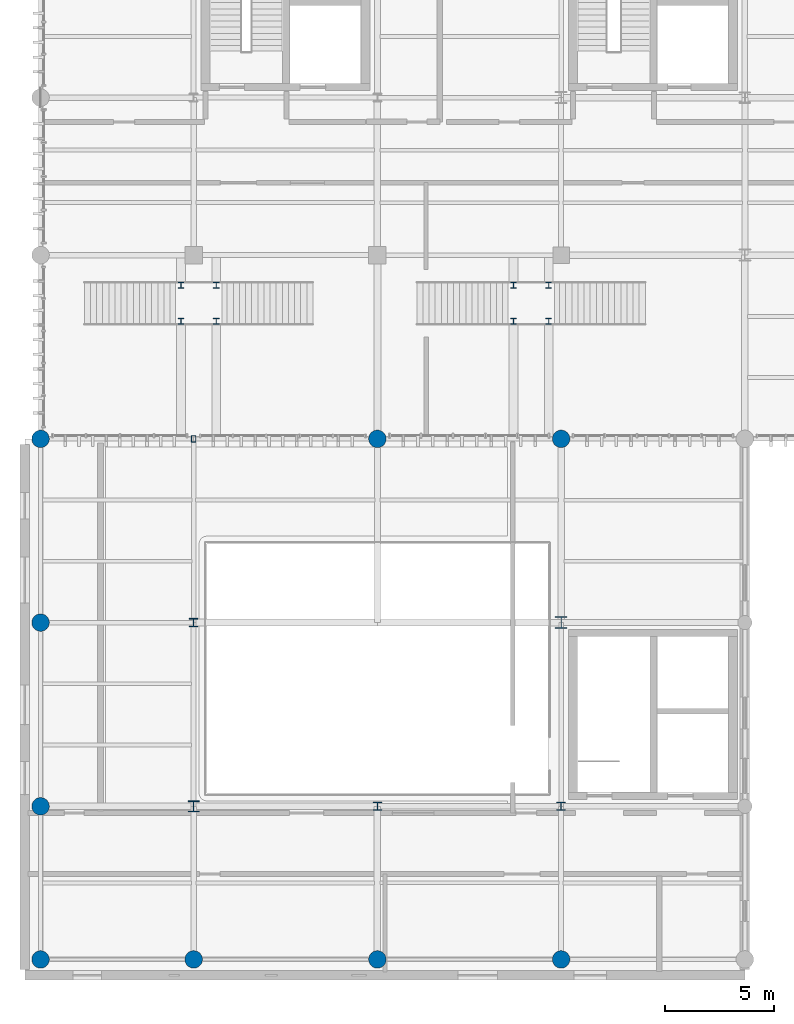
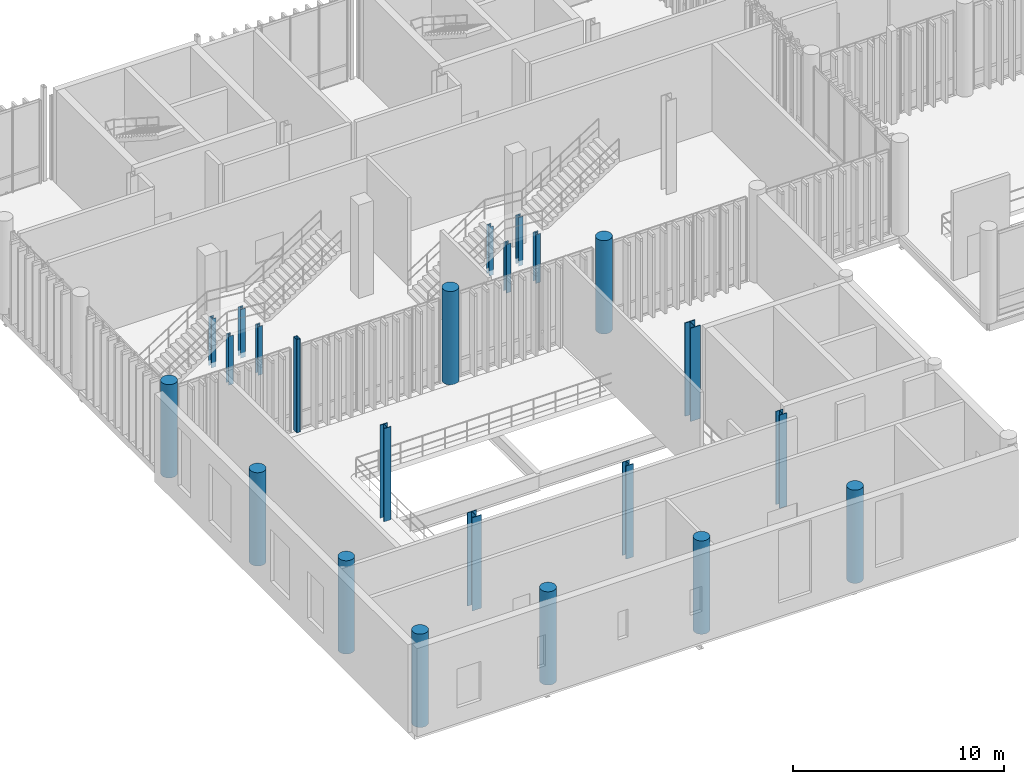
# One storey, part 1 of 128: 23 columns.
"""IFC4 building model written with IfcOpenShell, lengths in metres."""

from ifc_helpers import new_model, si_unit, direction, frame, origin_with_axes, origin_2d_with_axis, place, context, subcontext, project, spatial, hollow_rectangle, circle, i_section, extrude, material, material_profile, profile_set, type_object, element, save


model = new_model("IFC4")

# Units and contexts
model_context = context("Model", 3, precision=1e-05, world=origin_with_axes(), true_north=direction((0.0, 1.0)))
body_context = subcontext(model_context, "Body", "Model", "MODEL_VIEW")
ifc_project = project(units=[si_unit("LENGTHUNIT", "METRE"), si_unit("AREAUNIT", "SQUARE_METRE"), si_unit("VOLUMEUNIT", "CUBIC_METRE"), si_unit("PLANEANGLEUNIT", "RADIAN"), si_unit("MASSUNIT", "GRAM", prefix="KILO"), si_unit("THERMODYNAMICTEMPERATUREUNIT", "KELVIN")], contexts=[model_context])

# Site, building, storey
site_placement = place(None, origin_with_axes())
site = spatial("IfcSite", under=ifc_project, at=site_placement, CompositionType="ELEMENT")
building_placement = place(site_placement, origin_with_axes())
building = spatial("IfcBuilding", under=site, at=building_placement, Name="Montbau Bow Law Courts", CompositionType="ELEMENT")
storey_placement = place(building_placement, frame((0.0, 0.0, 5.4), z_axis=(0.0, 0.0, 1.0), x_axis=(1.0, 0.0, 0.0)))
storey = spatial("IfcBuildingStorey", under=building, at=storey_placement, Name="L01", CompositionType="ELEMENT", Elevation=5.4)

# Columns
ifc_material_1 = material(Name="Steel CSA G40.21 Grade 350WT (350 MPa)", Category="steel")
ifc_material_profile_1 = material_profile(ifc_material_1, hollow_rectangle(XDim=0.203, YDim=0.305, WallThickness=0.0127, InnerFilletRadius=0.0254, OuterFilletRadius=0.0127, at=origin_2d_with_axis()), Name="HSS305X203X13", Category="Main", Priority=0)
ifc_profile_set_1 = profile_set([ifc_material_profile_1], Name="Steel CSA G40.21 Grade 350WT (350 MPa)")
column_type_1 = type_object("IfcColumnType", Name="C-HSS-03", PredefinedType="COLUMN", material=ifc_profile_set_1)
column_1_placement = place(None, frame((13.8, 30.6, 5.4), z_axis=(0.0, 0.0, 1.0), x_axis=(1.0, 0.0, 0.0)))
element("IfcColumn", 1, at=column_1_placement, inside=storey, type_object=column_type_1, Name="C-L01-S0369:col2_0369", PredefinedType="COLUMN", context=body_context, shape_type="SweptSolid", body=[
    extrude(hollow_rectangle(XDim=0.203, YDim=0.305, WallThickness=0.0127, InnerFilletRadius=0.0254, OuterFilletRadius=0.0127, at=origin_2d_with_axis()), origin_with_axes(), (0.0, 0.0, 1.0), 5.4),
])
ifc_material_2 = material(Name="Concrete CSA A23.1 f'c 40 MPa", Category="concrete")
ifc_material_profile_2 = material_profile(ifc_material_2, circle(Radius=0.4, at=origin_2d_with_axis()), Name="RC800D", Category="Main", Priority=0)
ifc_profile_set_2 = profile_set([ifc_material_profile_2], Name="Concrete CSA A23.1 f'c 40 MPa")
column_type_2 = type_object("IfcColumnType", Name="C-RC-07", PredefinedType="COLUMN", material=ifc_profile_set_2)
for number, where, z_axis, x_axis, name in (
    (2, (6.8, 6.8, 5.4), (0.0, 0.0, 1.0), (1.0, 0.0, 0.0), "C-L01-S0359:col2_0359"),
    (3, (6.8, 13.8, 5.4), (0.0, 0.0, 1.0), (1.0, 0.0, 0.0), "C-L01-S0360:col2_0360"),
    (4, (6.8, 22.2, 5.4), (0.0, 0.0, 1.0), (1.0, 0.0, 0.0), "C-L01-S0361:col2_0361"),
    (5, (6.8, 30.6, 5.4), (0.0, 0.0, 1.0), (1.0, 0.0, 0.0), "C-L01-S0362:col2_0362"),
    (6, (13.8, 6.8, 5.4), (0.0, 0.0, 1.0), (1.0, 0.0, 0.0), "C-L01-S0366:col2_0366"),
    (7, (22.2, 6.8, 5.4), (0.0, 0.0, 1.0), (1.0, 0.0, 0.0), "C-L01-S0373:col2_0373"),
    (8, (22.2, 30.6, 5.4), (0.0, 0.0, 1.0), (1.0, 0.0, 0.0), "C-L01-S0375:col2_0375"),
    (9, (30.6, 6.8, 5.4), (0.0, 0.0, 1.0), (1.0, 0.0, 0.0), "C-L01-S0379:col2_0379"),
    (10, (30.6, 30.6, 5.4), (0.0, 0.0, 1.0), (1.0, 0.0, 0.0), "C-L01-S0382:col2_0382"),
):
    element("IfcColumn", number, at=place(None, frame(where, z_axis=z_axis, x_axis=x_axis)), inside=storey, type_object=column_type_2, Name=name, PredefinedType="COLUMN", context=body_context, shape_type="SweptSolid", body=[
        extrude(circle(Radius=0.4, at=origin_2d_with_axis()), origin_with_axes(), (0.0, 0.0, 1.0), 5.4),
    ])
ifc_material_3 = material(Name="Steel CSA G40.21 Grade 350W (350 MPa)", Category="steel")
ifc_material_profile_3 = material_profile(ifc_material_3, i_section(OverallWidth=0.55, OverallDepth=0.55, WebThickness=0.025, FlangeThickness=0.042, at=origin_2d_with_axis()), Name="WWF550X420", Category="Main", Priority=0)
ifc_profile_set_3 = profile_set([ifc_material_profile_3], Name="Steel CSA G40.21 Grade 350W (350 MPa)")
column_type_3 = type_object("IfcColumnType", Name="C-STL-01", PredefinedType="COLUMN", material=ifc_profile_set_3)
column_2_placement = place(None, frame((30.6, 22.2, 5.4), z_axis=(0.0, 0.0, 1.0), x_axis=(1.0, 0.0, 0.0)))
element("IfcColumn", 11, at=column_2_placement, inside=storey, type_object=column_type_3, Name="C-L01-S0381:col2_0381", PredefinedType="COLUMN", context=body_context, shape_type="SweptSolid", body=[
    extrude(i_section(OverallWidth=0.55, OverallDepth=0.55, WebThickness=0.025, FlangeThickness=0.042, at=origin_2d_with_axis()), origin_with_axes(), (0.0, 0.0, 1.0), 5.4),
])
ifc_material_profile_4 = material_profile(ifc_material_3, i_section(OverallWidth=0.5, OverallDepth=0.5, WebThickness=0.022, FlangeThickness=0.036, at=origin_2d_with_axis()), Name="WWF500X343", Category="Main", Priority=0)
ifc_profile_set_4 = profile_set([ifc_material_profile_4], Name="Steel CSA G40.21 Grade 350W (350 MPa)")
column_type_4 = type_object("IfcColumnType", Name="C-STL-02", PredefinedType="COLUMN", material=ifc_profile_set_4)
column_3_placement = place(None, frame((13.8, 13.8, 5.4), z_axis=(0.0, 0.0, 1.0), x_axis=(1.0, 0.0, 0.0)))
element("IfcColumn", 12, at=column_3_placement, inside=storey, type_object=column_type_4, Name="C-L01-S0367:col2_0367", PredefinedType="COLUMN", context=body_context, shape_type="SweptSolid", body=[
    extrude(i_section(OverallWidth=0.5, OverallDepth=0.5, WebThickness=0.022, FlangeThickness=0.036, at=origin_2d_with_axis()), origin_with_axes(), (0.0, 0.0, 1.0), 5.4),
])
ifc_material_profile_5 = material_profile(ifc_material_3, i_section(OverallWidth=0.395, OverallDepth=0.38, WebThickness=0.0189, FlangeThickness=0.0302, at=origin_2d_with_axis()), Name="W360X237", Category="Main", Priority=0)
ifc_profile_set_5 = profile_set([ifc_material_profile_5], Name="Steel CSA G40.21 Grade 350W (350 MPa)")
column_type_5 = type_object("IfcColumnType", Name="C-STL-03", PredefinedType="COLUMN", material=ifc_profile_set_5)
for number, where, z_axis, x_axis, name in (
    (13, (13.8, 22.2, 5.4), (0.0, 0.0, 1.0), (1.0, 0.0, 0.0), "C-L01-S0368:col2_0368"),
    (14, (22.2, 13.8, 5.4), (0.0, 0.0, 1.0), (1.0, 0.0, 0.0), "C-L01-S0374:col2_0374"),
    (15, (30.6, 13.8, 5.4), (0.0, 0.0, 1.0), (1.0, 0.0, 0.0), "C-L01-S0380:col2_0380"),
):
    element("IfcColumn", number, at=place(None, frame(where, z_axis=z_axis, x_axis=x_axis)), inside=storey, type_object=column_type_5, Name=name, PredefinedType="COLUMN", context=body_context, shape_type="SweptSolid", body=[
        extrude(i_section(OverallWidth=0.395, OverallDepth=0.38, WebThickness=0.0189, FlangeThickness=0.0302, at=origin_2d_with_axis()), origin_with_axes(), (0.0, 0.0, 1.0), 5.4),
    ])
ifc_material_profile_6 = material_profile(ifc_material_3, i_section(OverallWidth=0.256, OverallDepth=0.26, WebThickness=0.0107, FlangeThickness=0.0173, at=origin_2d_with_axis()), Name="W250X89", Category="Main", Priority=0)
ifc_profile_set_6 = profile_set([ifc_material_profile_6], Name="Steel CSA G40.21 Grade 350W (350 MPa)")
column_type_6 = type_object("IfcColumnType", Name="C-STL-08", PredefinedType="COLUMN", material=ifc_profile_set_6)
for number, where, z_axis, x_axis, name in (
    (16, (28.42, 35.98, 5.1), (0.0, 0.0, 1.0), (1.0, 0.0, 0.0), "C-ST-L01-25:col2_1144"),
    (17, (28.42, 37.62, 5.1), (0.0, 0.0, 1.0), (1.0, 0.0, 0.0), "C-ST-L01-26:col2_1145"),
    (18, (30.03, 35.98, 5.1), (0.0, 0.0, 1.0), (1.0, 0.0, 0.0), "C-ST-L01-27:col2_1146"),
    (19, (30.03, 37.62, 5.1), (0.0, 0.0, 1.0), (1.0, 0.0, 0.0), "C-ST-L01-28:col2_1147"),
    (20, (13.22, 35.98, 5.1), (0.0, 0.0, 1.0), (1.0, 0.0, 0.0), "C-ST-L01-33:col2_1152"),
    (21, (13.22, 37.62, 5.1), (0.0, 0.0, 1.0), (1.0, 0.0, 0.0), "C-ST-L01-34:col2_1153"),
    (22, (14.83, 35.98, 5.1), (0.0, 0.0, 1.0), (1.0, 0.0, 0.0), "C-ST-L01-35:col2_1154"),
    (23, (14.83, 37.62, 5.1), (0.0, 0.0, 1.0), (1.0, 0.0, 0.0), "C-ST-L01-36:col2_1155"),
):
    element("IfcColumn", number, at=place(None, frame(where, z_axis=z_axis, x_axis=x_axis)), inside=storey, type_object=column_type_6, Name=name, PredefinedType="COLUMN", context=body_context, shape_type="SweptSolid", body=[
        extrude(i_section(OverallWidth=0.256, OverallDepth=0.26, WebThickness=0.0107, FlangeThickness=0.0173, at=origin_2d_with_axis()), origin_with_axes(), (0.0, 0.0, 1.0), 2.82),
    ])

save(model, "model.ifc")
